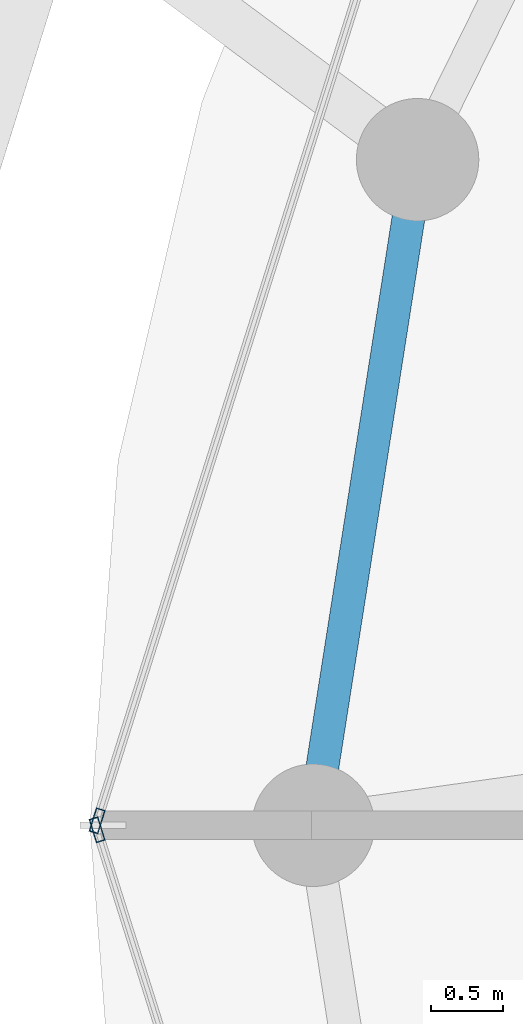
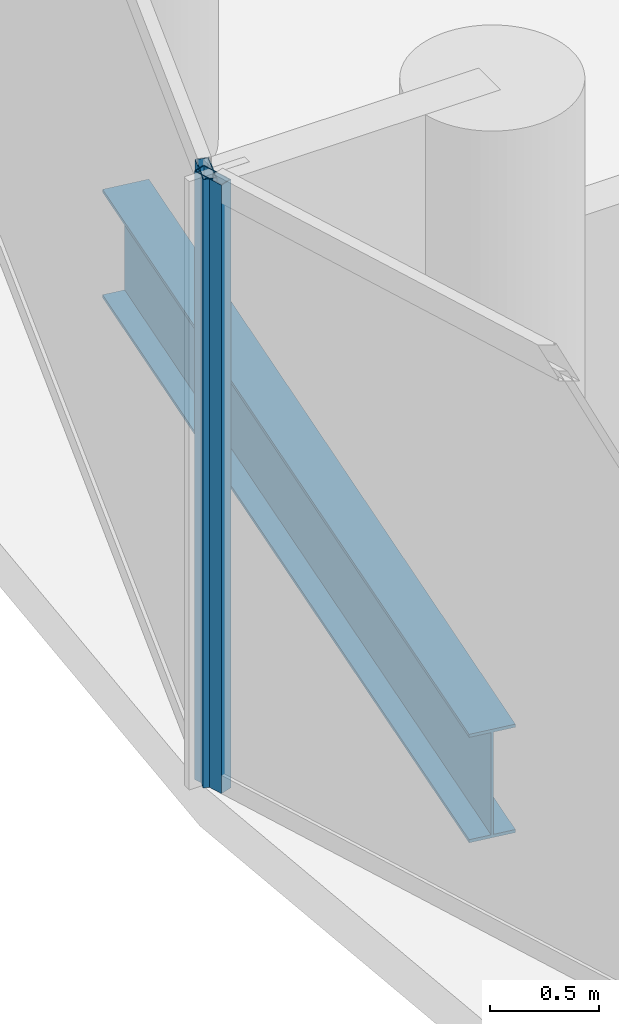
# One storey, part 7 of 28: 2 members, 1 beam, 2 elements without a shape of their own.
"""IFC4 building model written with IfcOpenShell, lengths in metres."""

from ifc_helpers import new_model, si_unit, direction, frame, origin, origin_2d, place, context, subcontext, project, spatial, hollow_rectangle, i_section, extrude, material, layer, layer_set, material_profile, profile_set, type_object, element, aggregate, save


model = new_model("IFC4")

# Units and contexts
model_context = context("Model", 3, precision=1e-05, world=origin(), true_north=direction((0.0, 1.0)))
body_context = subcontext(model_context, "Body", "Model", "MODEL_VIEW")
ifc_project = project(units=[si_unit("LENGTHUNIT", "METRE"), si_unit("AREAUNIT", "SQUARE_METRE"), si_unit("VOLUMEUNIT", "CUBIC_METRE"), si_unit("PLANEANGLEUNIT", "RADIAN"), si_unit("MASSUNIT", "GRAM", prefix="KILO")], contexts=[model_context])

# Site, building, storey
site_placement = place(None, origin())
site = spatial("IfcSite", under=ifc_project, at=site_placement, CompositionType="ELEMENT")
building_placement = place(site_placement, origin())
building = spatial("IfcBuilding", under=site, at=building_placement, Name="Nuhasar Tower", CompositionType="ELEMENT")
storey_placement = place(building_placement, frame((0.0, 0.0, 222.75)))
storey = spatial("IfcBuildingStorey", under=building, at=storey_placement, Name="L54", CompositionType="ELEMENT", Elevation=222.75)

# Beam
ifc_material_1 = material(Name="Steel S355", Category="steel")
ifc_material_profile_1 = material_profile(ifc_material_1, i_section(OverallWidth=0.22802734375, OverallDepth=0.60791015625, WebThickness=0.01123046875, FlangeThickness=0.017333984375, at=origin_2d()), Name="W24X76")
ifc_profile_set_1 = profile_set([ifc_material_profile_1], Name="Steel S355")
beam_type = type_object("IfcBeamType", Name="BM-RING-W24X76", PredefinedType="SPANDREL", material=ifc_profile_set_1)
beam_placement = place(storey_placement, frame((18.47412109375, 31.419921875, -0.5439453125), z_axis=(-0.154849872935, -0.987938012657, 0.0), x_axis=(0.987938012657, -0.154849872935, 0.0)))
element("IfcBeam", 1, at=beam_placement, inside=storey, type_object=beam_type, Name="L54 Perimeter Ring Spandrel 12", PredefinedType="SPANDREL", context=body_context, shape_type="SweptSolid", body=[
    extrude(i_section(OverallWidth=0.22802734375, OverallDepth=0.60791015625, WebThickness=0.01123046875, FlangeThickness=0.017333984375, at=origin_2d()), origin(), (0.0, 0.0, 1.0), 4.67626953125),
])

# Curtain wall, member
ifc_material_2 = material(Name="Aluminium 6063-T6", Category="aluminium")
ifc_layer = layer(ifc_material_2, 0.18994140625)
ifc_layer_set = layer_set([ifc_layer], Name="Aluminium 6063-T6")
curtain_wall_type = type_object("IfcCurtainWallType", Name="CW-Z3-RES", PredefinedType="NOTDEFINED", material=ifc_layer_set)
curtain_wall_1_placement = place(storey_placement, origin())
curtain_wall_1 = element("IfcCurtainWall", 2, at=curtain_wall_1_placement, inside=storey, type_object=curtain_wall_type, Name="L54 Unitised Curtain Wall 06", PredefinedType="NOTDEFINED")
ifc_material_profile_2 = material_profile(ifc_material_2, hollow_rectangle(XDim=0.06494140625, YDim=0.169921875, WallThickness=0.0048828125, at=origin_2d()), Name="CWM-4")
ifc_profile_set_2 = profile_set([ifc_material_profile_2], Name="Aluminium 6063-T6")
member_type = type_object("IfcMemberType", Name="CW-MUL-S4", PredefinedType="MULLION", material=ifc_profile_set_2)
member_1_placement = place(storey_placement, frame((16.249755859375, 26.8310546875, 0.0), z_axis=(0.0, 0.0, 1.0), x_axis=(0.95380429279, -0.30042864553, 0.0)))
member_1 = element("IfcMember", 3, at=member_1_placement, type_object=member_type, Name="CW-Z3 mullion 2", PredefinedType="MULLION", context=body_context, shape_type="SweptSolid", body=[
    extrude(hollow_rectangle(XDim=0.06494140625, YDim=0.169921875, WallThickness=0.0048828125, at=origin_2d()), origin(), (0.0, 0.0, 1.0), 3.409912109375),
])
aggregate(curtain_wall_1, [member_1])

curtain_wall_2_placement = place(storey_placement, origin())
curtain_wall_2 = element("IfcCurtainWall", 4, at=curtain_wall_2_placement, inside=storey, type_object=curtain_wall_type, Name="L54 Unitised Curtain Wall 07", PredefinedType="NOTDEFINED")
member_2_placement = place(storey_placement, frame((16.249755859375, 26.76904296875, 0.0), z_axis=(0.0, 0.0, 1.0), x_axis=(0.95380429279, 0.30042864553, 0.0)))
member_2 = element("IfcMember", 5, at=member_2_placement, type_object=member_type, Name="CW-Z3 mullion 1", PredefinedType="MULLION", context=body_context, shape_type="SweptSolid", body=[
    extrude(hollow_rectangle(XDim=0.06494140625, YDim=0.169921875, WallThickness=0.0048828125, at=origin_2d()), origin(), (0.0, 0.0, 1.0), 3.409912109375),
])
aggregate(curtain_wall_2, [member_2])

save(model, "model.ifc")
